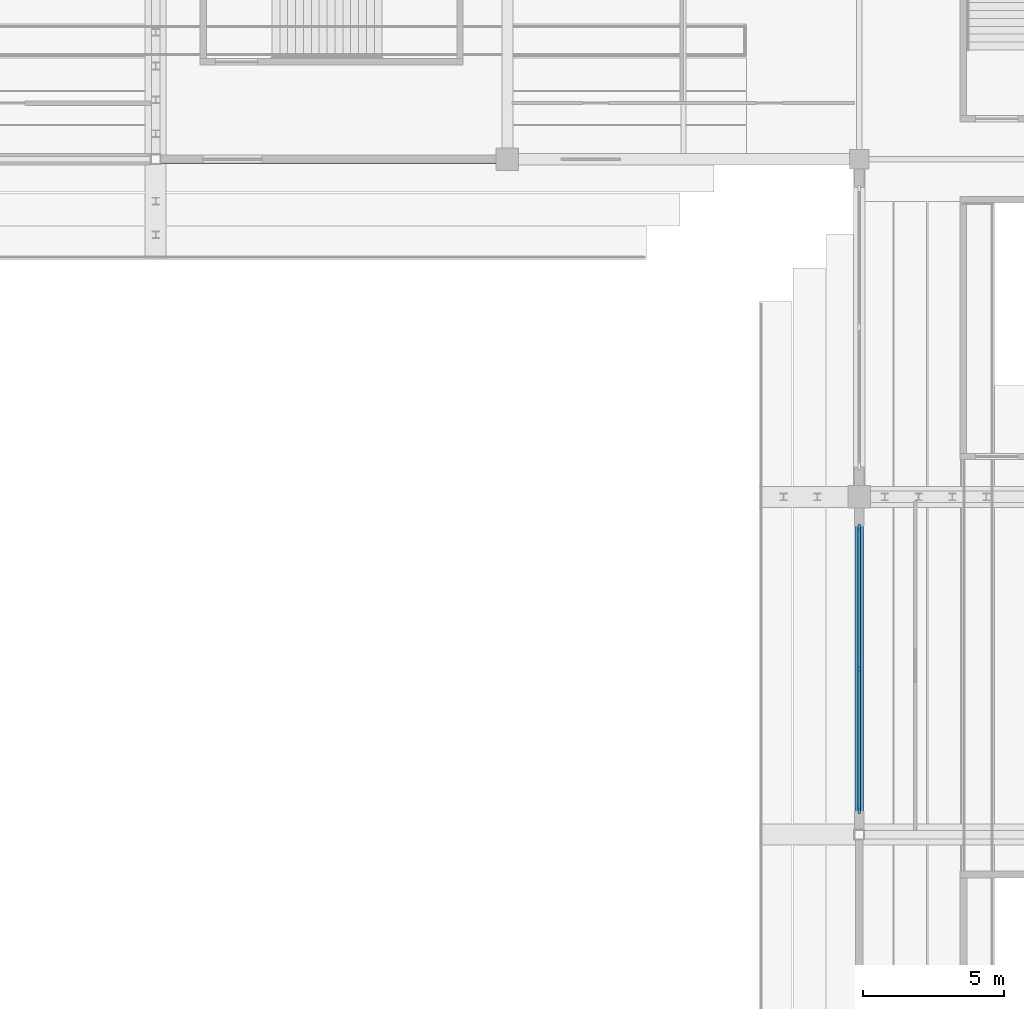
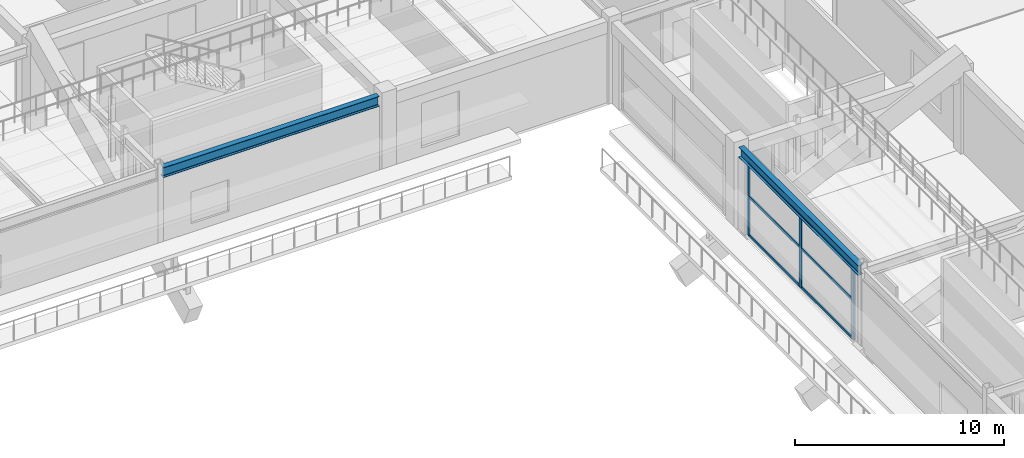
# One storey, part 57 of 128: 9 members, 2 beams, 1 element without a shape of its own.
"""IFC4 building model written with IfcOpenShell, lengths in metres."""

from ifc_helpers import new_model, si_unit, direction, frame, origin, origin_2d, place, context, subcontext, project, spatial, rectangle, i_section, extrude, material, layer, layer_set, material_profile, profile_set, type_object, element, aggregate, save


model = new_model("IFC4")

# Units and contexts
model_context = context("Model", 3, precision=1e-05, world=origin(), true_north=direction((0.0, 1.0)))
body_context = subcontext(model_context, "Body", "Model", "MODEL_VIEW")
ifc_project = project(units=[si_unit("LENGTHUNIT", "METRE"), si_unit("AREAUNIT", "SQUARE_METRE"), si_unit("VOLUMEUNIT", "CUBIC_METRE"), si_unit("PLANEANGLEUNIT", "RADIAN"), si_unit("MASSUNIT", "GRAM", prefix="KILO")], contexts=[model_context])

# Site, building, storey
site_placement = place(None, origin())
site = spatial("IfcSite", under=ifc_project, at=site_placement, CompositionType="ELEMENT")
building_placement = place(site_placement, origin())
building = spatial("IfcBuilding", under=site, at=building_placement, Name="Kazenohara Klinker Stadium", CompositionType="ELEMENT")
storey_placement = place(building_placement, frame((0.0, 0.0, 15.300048828125)))
storey = spatial("IfcBuildingStorey", under=building, at=storey_placement, Name="L03", CompositionType="ELEMENT", Elevation=15.300048828125)

# Beams
ifc_material_1 = material(Name="Steel S355", Category="steel")
ifc_material_profile_1 = material_profile(ifc_material_1, i_section(OverallWidth=0.300048828125, OverallDepth=0.587890625, WebThickness=0.011962890625, FlangeThickness=0.02001953125, FilletRadius=0.02197265625, at=origin_2d()), Name="H-588x300x12x20")
ifc_profile_set_1 = profile_set([ifc_material_profile_1], Name="Steel S355")
beam_type = type_object("IfcBeamType", Name="BM-ST05", PredefinedType="BEAM", material=ifc_profile_set_1)
beam_1_placement = place(storey_placement, frame((150.175048828125, 132.0, 4.466064453125), z_axis=(1.0, 0.0, 0.0), x_axis=(0.0, 1.0, 0.0)))
element("IfcBeam", 1, at=beam_1_placement, inside=storey, type_object=beam_type, Name="Primary girder SB05 L03 13-14/M", PredefinedType="BEAM", context=body_context, shape_type="SweptSolid", body=[
    extrude(i_section(OverallWidth=0.300048828125, OverallDepth=0.587890625, WebThickness=0.011962890625, FlangeThickness=0.02001953125, FilletRadius=0.02197265625, at=origin_2d()), origin(), (0.0, 0.0, 1.0), 11.925048828125),
])
beam_2_placement = place(storey_placement, frame((175.0, 108.175048828125, 4.466064453125), z_axis=(0.0, 1.0, 0.0), x_axis=(-1.0, 0.0, 0.0)))
element("IfcBeam", 2, at=beam_2_placement, inside=storey, type_object=beam_type, Name="Primary girder SB05 L03 15/K-L", PredefinedType="BEAM", context=body_context, shape_type="SweptSolid", body=[
    extrude(i_section(OverallWidth=0.300048828125, OverallDepth=0.587890625, WebThickness=0.011962890625, FlangeThickness=0.02001953125, FilletRadius=0.02197265625, at=origin_2d()), origin(), (0.0, 0.0, 1.0), 11.425048828125),
])

# Curtain wall, members
ifc_material_2 = material(Name="Anodised aluminium and triple glazing", Category="aluminium")
ifc_layer = layer(ifc_material_2, 0.159912109375)
ifc_layer_set = layer_set([ifc_layer], Name="Anodised aluminium and triple glazing")
curtain_wall_type = type_object("IfcCurtainWallType", Name="CW-SYS-01", PredefinedType="USERDEFINED", material=ifc_layer_set)
curtain_wall_placement = place(storey_placement, origin())
curtain_wall = element("IfcCurtainWall", 3, at=curtain_wall_placement, inside=storey, type_object=curtain_wall_type, Name="Unitised facade curtain wall CW01 L03 Y14-9", ObjectType="UNITISED CURTAIN WALL", PredefinedType="USERDEFINED")
ifc_material_3 = material(Name="Anodised aluminium 6063-T6", Category="aluminium")
ifc_material_profile_2 = material_profile(ifc_material_3, rectangle(XDim=0.074951171875, YDim=0.219970703125, at=origin_2d()), Name="ALU-MUL-75x220")
ifc_profile_set_2 = profile_set([ifc_material_profile_2], Name="Anodised aluminium 6063-T6")
member_type_1 = type_object("IfcMemberType", Name="CW-MUL-220", PredefinedType="MULLION", material=ifc_profile_set_2)
member_1_placement = place(storey_placement, frame((175.0, 108.866455078125, 0.0), z_axis=(0.0, 0.0, 1.0), x_axis=(-1.0, 0.0, 0.0)))
member_1 = element("IfcMember", 4, at=member_1_placement, type_object=member_type_1, Name="CW01 mullion 1", PredefinedType="MULLION", context=body_context, shape_type="SweptSolid", body=[
    extrude(rectangle(XDim=0.074951171875, YDim=0.219970703125, at=origin_2d()), origin(), (0.0, 0.0, 1.0), 4.171875),
])
member_2_placement = place(storey_placement, frame((175.0, 113.887451171875, 0.0), z_axis=(0.0, 0.0, 1.0), x_axis=(-1.0, 0.0, 0.0)))
member_2 = element("IfcMember", 5, at=member_2_placement, type_object=member_type_1, Name="CW01 mullion 2", PredefinedType="MULLION", context=body_context, shape_type="SweptSolid", body=[
    extrude(rectangle(XDim=0.074951171875, YDim=0.219970703125, at=origin_2d()), origin(), (0.0, 0.0, 1.0), 4.171875),
])
member_3_placement = place(storey_placement, frame((175.0, 118.908447265625, 0.0), z_axis=(0.0, 0.0, 1.0), x_axis=(-1.0, 0.0, 0.0)))
member_3 = element("IfcMember", 6, at=member_3_placement, type_object=member_type_1, Name="CW01 mullion 3", PredefinedType="MULLION", context=body_context, shape_type="SweptSolid", body=[
    extrude(rectangle(XDim=0.074951171875, YDim=0.219970703125, at=origin_2d()), origin(), (0.0, 0.0, 1.0), 4.171875),
])
ifc_material_profile_3 = material_profile(ifc_material_3, rectangle(XDim=0.074951171875, YDim=0.159912109375, at=origin_2d()), Name="ALU-TRN-75x160")
ifc_profile_set_3 = profile_set([ifc_material_profile_3], Name="Anodised aluminium 6063-T6")
member_type_2 = type_object("IfcMemberType", Name="CW-TRN-160", PredefinedType="USERDEFINED", material=ifc_profile_set_3)
member_4_placement = place(storey_placement, frame((175.0, 108.904052734375, 0.037353515625), z_axis=(0.0, 1.0, 0.0), x_axis=(-1.0, 0.0, 0.0)))
member_4 = element("IfcMember", 7, at=member_4_placement, type_object=member_type_2, Name="CW01 transom 1.1", ObjectType="TRANSOM", PredefinedType="USERDEFINED", context=body_context, shape_type="SweptSolid", body=[
    extrude(rectangle(XDim=0.074951171875, YDim=0.159912109375, at=origin_2d()), origin(), (0.0, 0.0, 1.0), 4.946044921875),
])
member_5_placement = place(storey_placement, frame((175.0, 108.904052734375, 2.29443359375), z_axis=(0.0, 1.0, 0.0), x_axis=(-1.0, 0.0, 0.0)))
member_5 = element("IfcMember", 8, at=member_5_placement, type_object=member_type_2, Name="CW01 transom 1.2", ObjectType="TRANSOM", PredefinedType="USERDEFINED", context=body_context, shape_type="SweptSolid", body=[
    extrude(rectangle(XDim=0.074951171875, YDim=0.159912109375, at=origin_2d()), origin(), (0.0, 0.0, 1.0), 4.946044921875),
])
member_6_placement = place(storey_placement, frame((175.0, 108.904052734375, 4.134521484375), z_axis=(0.0, 1.0, 0.0), x_axis=(-1.0, 0.0, 0.0)))
member_6 = element("IfcMember", 9, at=member_6_placement, type_object=member_type_2, Name="CW01 transom 1.3", ObjectType="TRANSOM", PredefinedType="USERDEFINED", context=body_context, shape_type="SweptSolid", body=[
    extrude(rectangle(XDim=0.074951171875, YDim=0.159912109375, at=origin_2d()), origin(), (0.0, 0.0, 1.0), 4.946044921875),
])
member_7_placement = place(storey_placement, frame((175.0, 113.925048828125, 0.037353515625), z_axis=(0.0, 1.0, 0.0), x_axis=(-1.0, 0.0, 0.0)))
member_7 = element("IfcMember", 10, at=member_7_placement, type_object=member_type_2, Name="CW01 transom 2.1", ObjectType="TRANSOM", PredefinedType="USERDEFINED", context=body_context, shape_type="SweptSolid", body=[
    extrude(rectangle(XDim=0.074951171875, YDim=0.159912109375, at=origin_2d()), origin(), (0.0, 0.0, 1.0), 4.946044921875),
])
member_8_placement = place(storey_placement, frame((175.0, 113.925048828125, 2.29443359375), z_axis=(0.0, 1.0, 0.0), x_axis=(-1.0, 0.0, 0.0)))
member_8 = element("IfcMember", 11, at=member_8_placement, type_object=member_type_2, Name="CW01 transom 2.2", ObjectType="TRANSOM", PredefinedType="USERDEFINED", context=body_context, shape_type="SweptSolid", body=[
    extrude(rectangle(XDim=0.074951171875, YDim=0.159912109375, at=origin_2d()), origin(), (0.0, 0.0, 1.0), 4.946044921875),
])
member_9_placement = place(storey_placement, frame((175.0, 113.925048828125, 4.134521484375), z_axis=(0.0, 1.0, 0.0), x_axis=(-1.0, 0.0, 0.0)))
member_9 = element("IfcMember", 12, at=member_9_placement, type_object=member_type_2, Name="CW01 transom 2.3", ObjectType="TRANSOM", PredefinedType="USERDEFINED", context=body_context, shape_type="SweptSolid", body=[
    extrude(rectangle(XDim=0.074951171875, YDim=0.159912109375, at=origin_2d()), origin(), (0.0, 0.0, 1.0), 4.946044921875),
])
aggregate(curtain_wall, [member_1, member_2, member_3, member_4, member_5, member_6, member_7, member_8, member_9])

save(model, "model.ifc")
